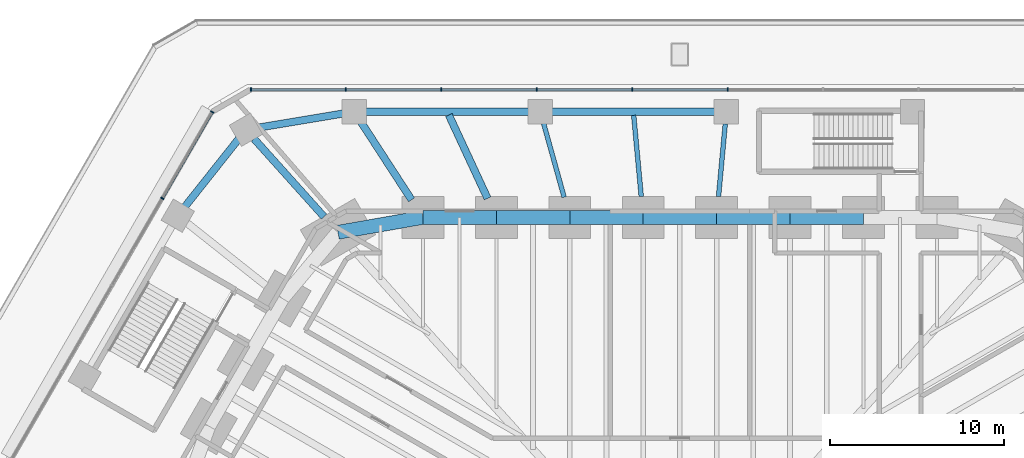
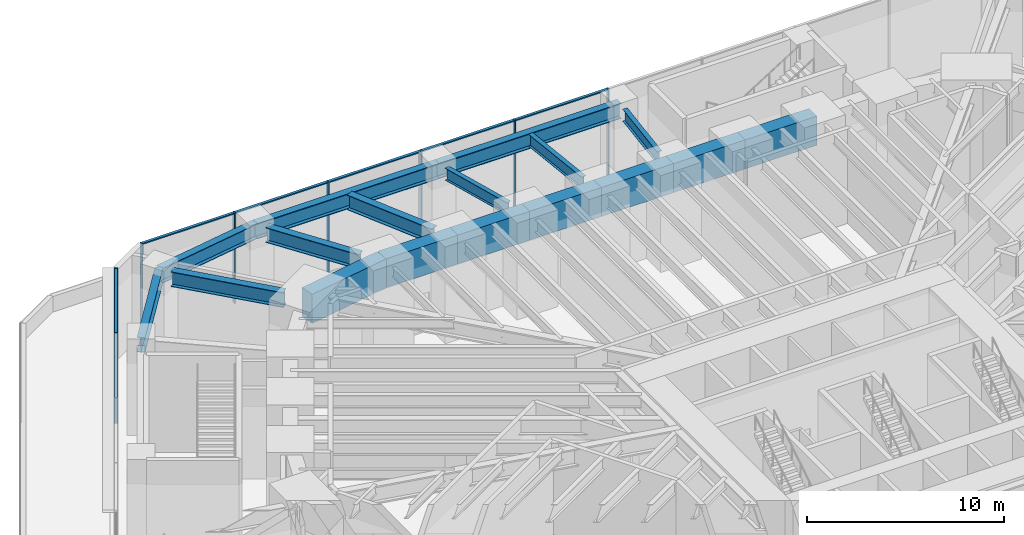
# One storey, part 10 of 24: 17 beams, 14 members, 2 elements without a shape of their own.
"""IFC4 building model written with IfcOpenShell, lengths in metres."""

from ifc_helpers import new_model, si_unit, direction, frame, origin, origin_2d, place, context, subcontext, project, spatial, rectangle, i_section, extrude, material, material_profile, profile_set, type_object, element, aggregate, save


model = new_model("IFC4")

# Units and contexts
model_context = context("Model", 3, precision=1e-05, world=origin(), true_north=direction((0.0, 1.0)))
body_context = subcontext(model_context, "Body", "Model", "MODEL_VIEW")
ifc_project = project(units=[si_unit("LENGTHUNIT", "METRE"), si_unit("AREAUNIT", "SQUARE_METRE"), si_unit("VOLUMEUNIT", "CUBIC_METRE"), si_unit("PLANEANGLEUNIT", "RADIAN"), si_unit("MASSUNIT", "GRAM", prefix="KILO")], contexts=[model_context])

# Site, building, storey
site_placement = place(None, origin())
site = spatial("IfcSite", under=ifc_project, at=site_placement, CompositionType="ELEMENT")
building_placement = place(site_placement, origin())
building = spatial("IfcBuilding", under=site, at=building_placement, Name="Sandreach Pilgrim Tower", CompositionType="ELEMENT")
storey_placement = place(building_placement, frame((0.0, 0.0, 12.0)))
storey = spatial("IfcBuildingStorey", under=building, at=storey_placement, Name="L02", CompositionType="ELEMENT", Elevation=12.0)

# Curtain wall, members
ifc_material_1 = material(Name="Aluminium framed curtain wall", Category="aluminium")
curtain_wall_type = type_object("IfcCurtainWallType", Name="Podium storefront curtain wall", PredefinedType="NOTDEFINED", material=ifc_material_1)
curtain_wall_1_placement = place(storey_placement, origin())
curtain_wall_1 = element("IfcCurtainWall", 1, at=curtain_wall_1_placement, inside=storey, type_object=curtain_wall_type, Name="CW-P L02 N", PredefinedType="NOTDEFINED")
ifc_material_2 = material(Name="Aluminium extrusion", Category="aluminium")
ifc_material_profile_1 = material_profile(ifc_material_2, rectangle(XDim=0.070068359375, YDim=0.199951171875, at=origin_2d()), Name="CW-PM 70X200")
ifc_profile_set_1 = profile_set([ifc_material_profile_1], Name="Aluminium extrusion")
member_type_1 = type_object("IfcMemberType", Name="CW-P mullion", PredefinedType="MULLION", material=ifc_profile_set_1)
member_1_placement = place(storey_placement, frame((-24.598388671875, 30.010986328125, 0.0), z_axis=(0.0, 0.0, 1.0), x_axis=(1.0, 0.0, 0.0)))
member_1 = element("IfcMember", 2, at=member_1_placement, type_object=member_type_1, Name="CW-P mullion 1", PredefinedType="MULLION", context=body_context, shape_type="SweptSolid", body=[
    extrude(rectangle(XDim=0.070068359375, YDim=0.199951171875, at=origin_2d()), origin(), (0.0, 0.0, 1.0), 5.60009765625),
])
member_2_placement = place(storey_placement, frame((-19.159423828125, 30.010986328125, 0.0), z_axis=(0.0, 0.0, 1.0), x_axis=(1.0, 0.0, 0.0)))
member_2 = element("IfcMember", 3, at=member_2_placement, type_object=member_type_1, Name="CW-P mullion 2", PredefinedType="MULLION", context=body_context, shape_type="SweptSolid", body=[
    extrude(rectangle(XDim=0.070068359375, YDim=0.199951171875, at=origin_2d()), origin(), (0.0, 0.0, 1.0), 5.60009765625),
])
member_3_placement = place(storey_placement, frame((-13.685302734375, 30.010986328125, 0.0), z_axis=(0.0, 0.0, 1.0), x_axis=(1.0, 0.0, 0.0)))
member_3 = element("IfcMember", 4, at=member_3_placement, type_object=member_type_1, Name="CW-P mullion 3", PredefinedType="MULLION", context=body_context, shape_type="SweptSolid", body=[
    extrude(rectangle(XDim=0.070068359375, YDim=0.199951171875, at=origin_2d()), origin(), (0.0, 0.0, 1.0), 5.60009765625),
])
member_4_placement = place(storey_placement, frame((-8.211181640625, 30.010986328125, 0.0), z_axis=(0.0, 0.0, 1.0), x_axis=(1.0, 0.0, 0.0)))
member_4 = element("IfcMember", 5, at=member_4_placement, type_object=member_type_1, Name="CW-P mullion 4", PredefinedType="MULLION", context=body_context, shape_type="SweptSolid", body=[
    extrude(rectangle(XDim=0.070068359375, YDim=0.199951171875, at=origin_2d()), origin(), (0.0, 0.0, 1.0), 5.60009765625),
])
member_5_placement = place(storey_placement, frame((-2.737060546875, 30.010986328125, 0.0), z_axis=(0.0, 0.0, 1.0), x_axis=(1.0, 0.0, 0.0)))
member_5 = element("IfcMember", 6, at=member_5_placement, type_object=member_type_1, Name="CW-P mullion 5", PredefinedType="MULLION", context=body_context, shape_type="SweptSolid", body=[
    extrude(rectangle(XDim=0.070068359375, YDim=0.199951171875, at=origin_2d()), origin(), (0.0, 0.0, 1.0), 5.60009765625),
])
member_6_placement = place(storey_placement, frame((2.737060546875, 30.010986328125, 0.0), z_axis=(0.0, 0.0, 1.0), x_axis=(1.0, 0.0, 0.0)))
member_6 = element("IfcMember", 7, at=member_6_placement, type_object=member_type_1, Name="CW-P mullion 6", PredefinedType="MULLION", context=body_context, shape_type="SweptSolid", body=[
    extrude(rectangle(XDim=0.070068359375, YDim=0.199951171875, at=origin_2d()), origin(), (0.0, 0.0, 1.0), 5.60009765625),
])

curtain_wall_2_placement = place(storey_placement, origin())
curtain_wall_2 = element("IfcCurtainWall", 8, at=curtain_wall_2_placement, inside=storey, type_object=curtain_wall_type, Name="CW-P L02 NW", PredefinedType="NOTDEFINED")
member_7_placement = place(storey_placement, frame((-29.675537109375, 23.777587890625, 0.0), z_axis=(0.0, 0.0, 1.0), x_axis=(0.5, 0.866025403784, 0.0)))
member_7 = element("IfcMember", 9, at=member_7_placement, type_object=member_type_1, Name="CW-P mullion 4", PredefinedType="MULLION", context=body_context, shape_type="SweptSolid", body=[
    extrude(rectangle(XDim=0.070068359375, YDim=0.199951171875, at=origin_2d()), origin(), (0.0, 0.0, 1.0), 5.60009765625),
])
member_8_placement = place(storey_placement, frame((-26.81591796875, 28.73046875, 0.0), z_axis=(0.0, 0.0, 1.0), x_axis=(0.5, 0.866025403784, 0.0)))
member_8 = element("IfcMember", 10, at=member_8_placement, type_object=member_type_1, Name="CW-P mullion 5", PredefinedType="MULLION", context=body_context, shape_type="SweptSolid", body=[
    extrude(rectangle(XDim=0.070068359375, YDim=0.199951171875, at=origin_2d()), origin(), (0.0, 0.0, 1.0), 5.60009765625),
])

# Member
ifc_material_3 = material(Name="Aluminium extrusion", Category="aluminium")
ifc_material_profile_2 = material_profile(ifc_material_3, rectangle(XDim=0.159912109375, YDim=0.070068359375, at=origin_2d()), Name="CW-PT 160X70")
ifc_profile_set_2 = profile_set([ifc_material_profile_2], Name="Aluminium extrusion")
member_type_2 = type_object("IfcMemberType", Name="CW-P transom", PredefinedType="USERDEFINED", material=ifc_profile_set_2)
member_9_placement = place(storey_placement, frame((-24.5634765625, 30.010986328125, 5.56494140625), z_axis=(1.0, 0.0, 0.0), x_axis=(0.0, 1.0, 0.0)))
member_9 = element("IfcMember", 11, at=member_9_placement, type_object=member_type_2, Name="CW-P head transom 1", ObjectType="TRANSOM", PredefinedType="USERDEFINED", context=body_context, shape_type="SweptSolid", body=[
    extrude(rectangle(XDim=0.159912109375, YDim=0.070068359375, at=origin_2d()), origin(), (0.0, 0.0, 1.0), 5.369140625),
])

member_10_placement = place(storey_placement, frame((-19.124267578125, 30.010986328125, 5.56494140625), z_axis=(1.0, 0.0, 0.0), x_axis=(0.0, 1.0, 0.0)))
member_10 = element("IfcMember", 12, at=member_10_placement, type_object=member_type_2, Name="CW-P head transom 2", ObjectType="TRANSOM", PredefinedType="USERDEFINED", context=body_context, shape_type="SweptSolid", body=[
    extrude(rectangle(XDim=0.159912109375, YDim=0.070068359375, at=origin_2d()), origin(), (0.0, 0.0, 1.0), 5.404052734375),
])

member_11_placement = place(storey_placement, frame((-13.650146484375, 30.010986328125, 5.56494140625), z_axis=(1.0, 0.0, 0.0), x_axis=(0.0, 1.0, 0.0)))
member_11 = element("IfcMember", 13, at=member_11_placement, type_object=member_type_2, Name="CW-P head transom 3", ObjectType="TRANSOM", PredefinedType="USERDEFINED", context=body_context, shape_type="SweptSolid", body=[
    extrude(rectangle(XDim=0.159912109375, YDim=0.070068359375, at=origin_2d()), origin(), (0.0, 0.0, 1.0), 5.404052734375),
])

member_12_placement = place(storey_placement, frame((-8.176025390625, 30.010986328125, 5.56494140625), z_axis=(1.0, 0.0, 0.0), x_axis=(0.0, 1.0, 0.0)))
member_12 = element("IfcMember", 14, at=member_12_placement, type_object=member_type_2, Name="CW-P head transom 4", ObjectType="TRANSOM", PredefinedType="USERDEFINED", context=body_context, shape_type="SweptSolid", body=[
    extrude(rectangle(XDim=0.159912109375, YDim=0.070068359375, at=origin_2d()), origin(), (0.0, 0.0, 1.0), 5.404052734375),
])

member_13_placement = place(storey_placement, frame((-2.7021484375, 30.010986328125, 5.56494140625), z_axis=(1.0, 0.0, 0.0), x_axis=(0.0, 1.0, 0.0)))
member_13 = element("IfcMember", 15, at=member_13_placement, type_object=member_type_2, Name="CW-P head transom 5", ObjectType="TRANSOM", PredefinedType="USERDEFINED", context=body_context, shape_type="SweptSolid", body=[
    extrude(rectangle(XDim=0.159912109375, YDim=0.070068359375, at=origin_2d()), origin(), (0.0, 0.0, 1.0), 5.404296875),
])

aggregate(curtain_wall_1, [member_1, member_2, member_3, member_4, member_5, member_6, member_9, member_10, member_11, member_12, member_13])

member_14_placement = place(storey_placement, frame((-29.658203125, 23.807861328125, 5.56494140625), z_axis=(0.500015491618, 0.86601645951, 0.0), x_axis=(-0.86601645951, 0.500015491618, 0.0)))
member_14 = element("IfcMember", 16, at=member_14_placement, type_object=member_type_2, Name="CW-P head transom 4", ObjectType="TRANSOM", PredefinedType="USERDEFINED", context=body_context, shape_type="SweptSolid", body=[
    extrude(rectangle(XDim=0.159912109375, YDim=0.070068359375, at=origin_2d()), origin(), (0.0, 0.0, 1.0), 5.649169921875),
])

aggregate(curtain_wall_2, [member_7, member_8, member_14])

# Beams
ifc_material_4 = material(Name="Steel ASTM A992 Grade 50", Category="steel")
ifc_material_profile_3 = material_profile(ifc_material_4, i_section(OverallWidth=0.2666015625, OverallDepth=0.7568359375, WebThickness=0.013916015625, FlangeThickness=0.019287109375, at=origin_2d()), Name="W30X108")
ifc_profile_set_3 = profile_set([ifc_material_profile_3], Name="Steel ASTM A992 Grade 50")
beam_type_1 = type_object("IfcBeamType", Name="Podium beam W30X108", PredefinedType="BEAM", material=ifc_profile_set_3)
beam_1_placement = place(storey_placement, frame((-6.63671875, 23.8447265625, 5.221435546875), z_axis=(-0.268122559607, 0.963384810462, 0.0), x_axis=(-0.963384810462, -0.268122559607, 0.0)))
element("IfcBeam", 17, at=beam_1_placement, inside=storey, type_object=beam_type_1, Name="BM L02 PR125-03", PredefinedType="BEAM", context=body_context, shape_type="SweptSolid", body=[
    extrude(i_section(OverallWidth=0.2666015625, OverallDepth=0.7568359375, WebThickness=0.013916015625, FlangeThickness=0.019287109375, at=origin_2d()), origin(), (0.0, 0.0, 1.0), 4.392578125),
])
beam_2_placement = place(storey_placement, frame((-2.2158203125, 23.883544921875, 5.221435546875), z_axis=(-0.092357338774, 0.995725927138, 0.0), x_axis=(-0.995725927138, -0.092357338774, 0.0)))
element("IfcBeam", 18, at=beam_2_placement, inside=storey, type_object=beam_type_1, Name="BM L02 PR125-04", PredefinedType="BEAM", context=body_context, shape_type="SweptSolid", body=[
    extrude(i_section(OverallWidth=0.2666015625, OverallDepth=0.7568359375, WebThickness=0.013916015625, FlangeThickness=0.019287109375, at=origin_2d()), origin(), (0.0, 0.0, 1.0), 4.67626953125),
])
beam_3_placement = place(storey_placement, frame((2.2158203125, 23.883544921875, 5.221435546875), z_axis=(0.092390859708, 0.995722817376, 0.0), x_axis=(-0.995722817376, 0.092390859708, 0.0)))
element("IfcBeam", 19, at=beam_3_placement, inside=storey, type_object=beam_type_1, Name="BM L02 PR125-05", PredefinedType="BEAM", context=body_context, shape_type="SweptSolid", body=[
    extrude(i_section(OverallWidth=0.2666015625, OverallDepth=0.7568359375, WebThickness=0.013916015625, FlangeThickness=0.019287109375, at=origin_2d()), origin(), (0.0, 0.0, 1.0), 4.188232421875),
])
ifc_material_5 = material(Name="Steel ASTM A992 Grade 50", Category="steel")
ifc_material_profile_4 = material_profile(ifc_material_5, i_section(OverallWidth=0.419189453125, OverallDepth=0.927001953125, WebThickness=0.019287109375, FlangeThickness=0.031982421875, at=origin_2d()), Name="W36X231")
ifc_profile_set_4 = profile_set([ifc_material_profile_4], Name="Steel ASTM A992 Grade 50")
beam_type_2 = type_object("IfcBeamType", Name="Podium beam W36X231", PredefinedType="BEAM", material=ifc_profile_set_4)
beam_4_placement = place(storey_placement, frame((-15.38818359375, 23.695068359375, 5.136474609375), z_axis=(-0.544679105424, 0.838644544556, 0.0), x_axis=(-0.838644544556, -0.544679105424, 0.0)))
element("IfcBeam", 20, at=beam_4_placement, inside=storey, type_object=beam_type_2, Name="BM L02 PR125-01", PredefinedType="BEAM", context=body_context, shape_type="SweptSolid", body=[
    extrude(i_section(OverallWidth=0.419189453125, OverallDepth=0.927001953125, WebThickness=0.019287109375, FlangeThickness=0.031982421875, at=origin_2d()), origin(), (0.0, 0.0, 1.0), 5.32861328125),
])
beam_5_placement = place(storey_placement, frame((-11.02978515625, 23.77734375, 5.136474609375), z_axis=(-0.420784646846, 0.907160559647, 0.0), x_axis=(-0.907160559647, -0.420784646846, 0.0)))
element("IfcBeam", 21, at=beam_5_placement, inside=storey, type_object=beam_type_2, Name="BM L02 PR125-02", PredefinedType="BEAM", context=body_context, shape_type="SweptSolid", body=[
    extrude(i_section(OverallWidth=0.419189453125, OverallDepth=0.927001953125, WebThickness=0.019287109375, FlangeThickness=0.031982421875, at=origin_2d()), origin(), (0.0, 0.0, 1.0), 5.2705078125),
])
beam_6_placement = place(storey_placement, frame((-20.407958984375, 22.727783203125, 5.136474609375), z_axis=(-0.668130429615, 0.744044171419, 0.0), x_axis=(-0.744044171419, -0.668130429615, 0.0)))
element("IfcBeam", 22, at=beam_6_placement, inside=storey, type_object=beam_type_2, Name="BM L02 PR125-39", PredefinedType="BEAM", context=body_context, shape_type="SweptSolid", body=[
    extrude(i_section(OverallWidth=0.419189453125, OverallDepth=0.927001953125, WebThickness=0.019287109375, FlangeThickness=0.031982421875, at=origin_2d()), origin(), (0.0, 0.0, 1.0), 6.001220703125),
])
ifc_material_6 = material(Name="Steel ASTM A992 Grade 50", Category="steel")
ifc_material_profile_5 = material_profile(ifc_material_6, i_section(OverallWidth=0.419189453125, OverallDepth=0.927001953125, WebThickness=0.019287109375, FlangeThickness=0.031982421875, at=origin_2d()), Name="W36X231")
ifc_profile_set_5 = profile_set([ifc_material_profile_5], Name="Steel ASTM A992 Grade 50")
beam_type_3 = type_object("IfcBeamType", Name="Podium edge beam W36X231", PredefinedType="BEAM", material=ifc_profile_set_5)
beam_7_placement = place(storey_placement, frame((-28.7939453125, 22.78466796875, 5.136474609375), z_axis=(0.621347882952, 0.783534816298, 0.0), x_axis=(-0.783534816298, 0.621347882952, 0.0)))
element("IfcBeam", 23, at=beam_7_placement, inside=storey, type_object=beam_type_3, Name="BM L02 PE125-38", PredefinedType="BEAM", context=body_context, shape_type="SweptSolid", body=[
    extrude(i_section(OverallWidth=0.419189453125, OverallDepth=0.927001953125, WebThickness=0.019287109375, FlangeThickness=0.031982421875, at=origin_2d()), origin(), (0.0, 0.0, 1.0), 6.290771484375),
])
beam_8_placement = place(storey_placement, frame((-24.88525390625, 27.713623046875, 5.136474609375), z_axis=(0.986348847433, 0.164669217427, 0.0), x_axis=(-0.164669217427, 0.986348847433, 0.0)))
element("IfcBeam", 24, at=beam_8_placement, inside=storey, type_object=beam_type_3, Name="BM L02 PE125-39", PredefinedType="BEAM", context=body_context, shape_type="SweptSolid", body=[
    extrude(i_section(OverallWidth=0.419189453125, OverallDepth=0.927001953125, WebThickness=0.019287109375, FlangeThickness=0.031982421875, at=origin_2d()), origin(), (0.0, 0.0, 1.0), 6.299560546875),
])
ifc_material_7 = material(Name="Steel ASTM A992 Grade 50", Category="steel")
ifc_material_profile_6 = material_profile(ifc_material_7, i_section(OverallWidth=0.424072265625, OverallDepth=0.947509765625, WebThickness=0.02392578125, FlangeThickness=0.042724609375, at=origin_2d()), Name="W36X302")
ifc_profile_set_6 = profile_set([ifc_material_profile_6], Name="Steel ASTM A992 Grade 50")
beam_type_4 = type_object("IfcBeamType", Name="Podium edge beam W36X302", PredefinedType="BEAM", material=ifc_profile_set_6)
beam_9_placement = place(storey_placement, frame((-18.671630859375, 28.7509765625, 5.126220703125), z_axis=(1.0, 0.0, 0.0), x_axis=(0.0, 1.0, 0.0)))
element("IfcBeam", 25, at=beam_9_placement, inside=storey, type_object=beam_type_4, Name="BM L02 PE125-01", PredefinedType="BEAM", context=body_context, shape_type="SweptSolid", body=[
    extrude(i_section(OverallWidth=0.424072265625, OverallDepth=0.947509765625, WebThickness=0.02392578125, FlangeThickness=0.042724609375, at=origin_2d()), origin(), (0.0, 0.0, 1.0), 10.66943359375),
])
beam_10_placement = place(storey_placement, frame((-8.002197265625, 28.7509765625, 5.126220703125), z_axis=(1.0, 0.0, 0.0), x_axis=(0.0, 1.0, 0.0)))
element("IfcBeam", 26, at=beam_10_placement, inside=storey, type_object=beam_type_4, Name="BM L02 PE125-03", PredefinedType="BEAM", context=body_context, shape_type="SweptSolid", body=[
    extrude(i_section(OverallWidth=0.424072265625, OverallDepth=0.947509765625, WebThickness=0.02392578125, FlangeThickness=0.042724609375, at=origin_2d()), origin(), (0.0, 0.0, 1.0), 10.669677734375),
])
ifc_material_8 = material(Name="Concrete 10000 psi", Category="concrete")
ifc_material_profile_7 = material_profile(ifc_material_8, rectangle(XDim=0.800048828125, YDim=1.800048828125, at=origin_2d()), Name="RC800X1800")
ifc_profile_set_7 = profile_set([ifc_material_profile_7], Name="Concrete 10000 psi")
beam_type_5 = type_object("IfcBeamType", Name="Spandrel beam RC800X1800", PredefinedType="SPANDREL", material=ifc_profile_set_7)
beam_11_placement = place(storey_placement, frame((-14.734619140625, 22.688720703125, 4.93994140625), z_axis=(1.0, 0.0, 0.0), x_axis=(0.0, 1.0, 0.0)))
element("IfcBeam", 27, at=beam_11_placement, inside=storey, type_object=beam_type_5, Name="BM L02 SP01", PredefinedType="SPANDREL", context=body_context, shape_type="SweptSolid", body=[
    extrude(rectangle(XDim=0.800048828125, YDim=1.800048828125, at=origin_2d()), origin(), (0.0, 0.0, 1.0), 4.209716796875),
])
for number, where, z_axis, x_axis, name in (
    (28, (-10.52490234375, 22.688720703125, 4.93994140625), (1.0, 0.0, 0.0), (0.0, 1.0, 0.0), "BM L02 SP02"),
    (29, (-6.31494140625, 22.688720703125, 4.93994140625), (1.0, 0.0, 0.0), (0.0, 1.0, 0.0), "BM L02 SP03"),
    (30, (-2.10498046875, 22.688720703125, 4.93994140625), (1.0, 0.0, 0.0), (0.0, 1.0, 0.0), "BM L02 SP04"),
    (31, (2.10498046875, 22.688720703125, 4.93994140625), (1.0, 0.0, 0.0), (0.0, 1.0, 0.0), "BM L02 SP05"),
    (32, (6.31494140625, 22.688720703125, 4.93994140625), (1.0, 0.0, 0.0), (0.0, 1.0, 0.0), "BM L02 SP06"),
):
    element("IfcBeam", number, at=place(storey_placement, frame(where, z_axis=z_axis, x_axis=x_axis)), inside=storey, type_object=beam_type_5, Name=name, PredefinedType="SPANDREL", context=body_context, shape_type="SweptSolid", body=[
        extrude(rectangle(XDim=0.800048828125, YDim=1.800048828125, at=origin_2d()), origin(), (0.0, 0.0, 1.0), 4.2099609375),
    ])
beam_12_placement = place(storey_placement, frame((-19.6064453125, 21.834716796875, 4.93994140625), z_axis=(0.984981186582, 0.172661698355, 0.0), x_axis=(-0.172661698355, 0.984981186582, 0.0)))
element("IfcBeam", 33, at=beam_12_placement, inside=storey, type_object=beam_type_5, Name="BM L02 SP39", PredefinedType="SPANDREL", context=body_context, shape_type="SweptSolid", body=[
    extrude(rectangle(XDim=0.800048828125, YDim=1.800048828125, at=origin_2d()), origin(), (0.0, 0.0, 1.0), 4.946044921875),
])

save(model, "model.ifc")
